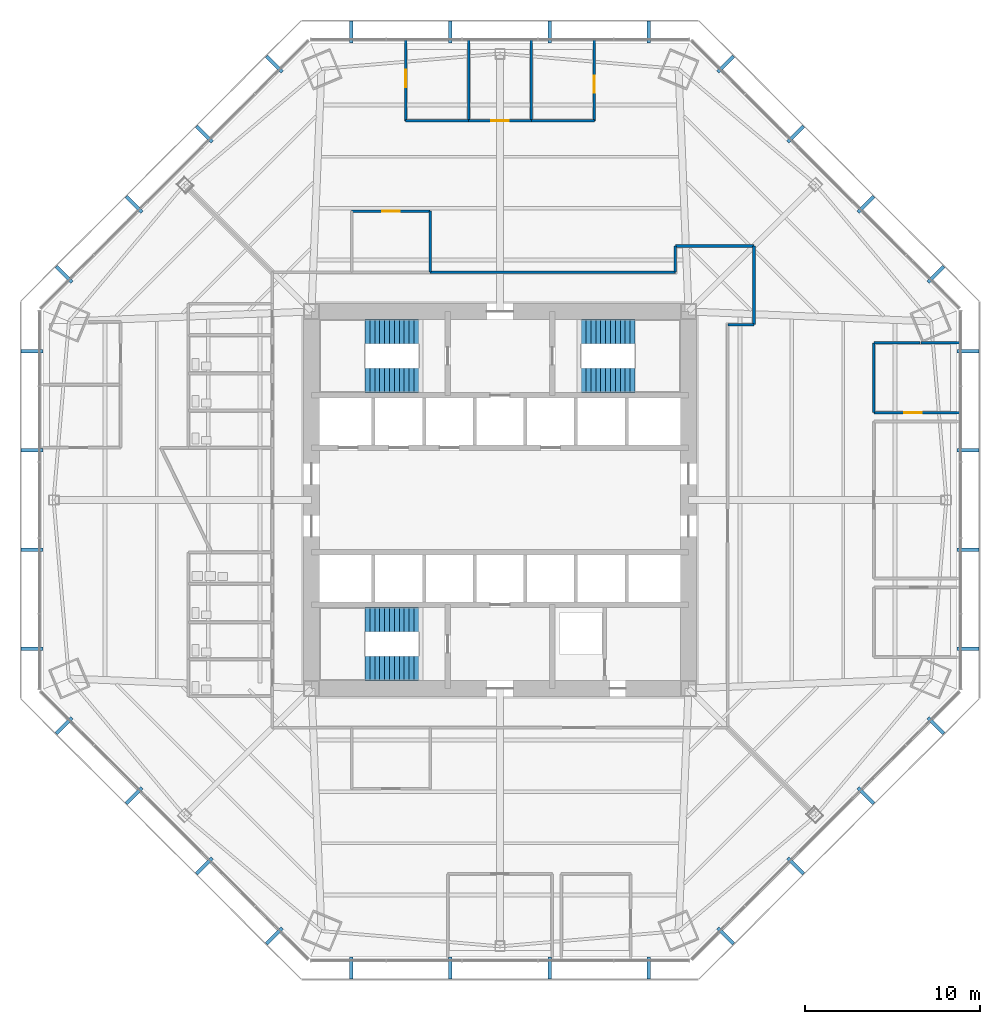
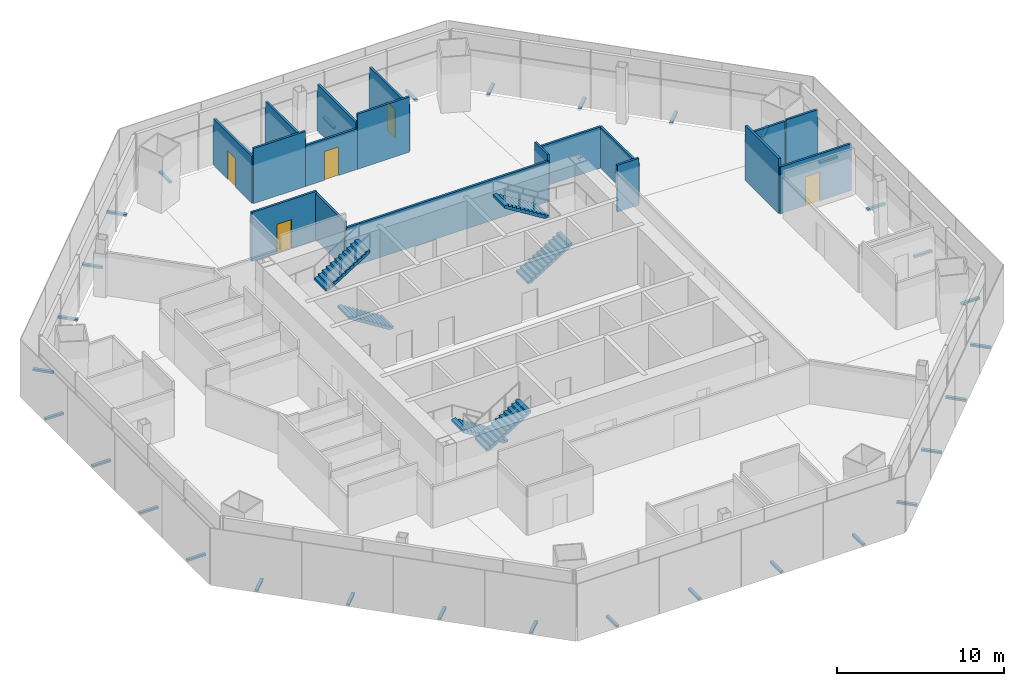
# One storey, part 12 of 15: 32 discrete accessories, 18 walls, 6 stair flights, 5 doors, 5 openings, 3 elements without a shape of their own.
"""IFC4 building model written with IfcOpenShell, lengths in metres."""

from ifc_helpers import new_model, si_unit, direction, frame, frame_2d, origin, origin_2d, place, context, subcontext, project, spatial, polyline, rectangle, outline, extrude, source, transform, mapped, material, layer, layer_set, type_object, type_shapes, element, fill, aggregate, save


model = new_model("IFC4")

# Units and contexts
model_context = context("Model", 3, precision=1e-05, world=origin(), true_north=direction((0.0, 1.0)))
body_context = subcontext(model_context, "Body", "Model", "MODEL_VIEW")
ifc_project = project(units=[si_unit("LENGTHUNIT", "METRE"), si_unit("AREAUNIT", "SQUARE_METRE"), si_unit("VOLUMEUNIT", "CUBIC_METRE"), si_unit("PLANEANGLEUNIT", "RADIAN"), si_unit("MASSUNIT", "GRAM", prefix="KILO")], contexts=[model_context])

# Site, building, storey
site_placement = place(None, origin())
site = spatial("IfcSite", under=ifc_project, at=site_placement, CompositionType="ELEMENT")
building_placement = place(site_placement, origin())
building = spatial("IfcBuilding", under=site, at=building_placement, Name="Mashrafa Tower", CompositionType="ELEMENT")
storey_placement = place(building_placement, frame((0.0, 0.0, 58.199951171875)))
storey = spatial("IfcBuildingStorey", under=building, at=storey_placement, Name="L12", CompositionType="ELEMENT", Elevation=58.199951171875)

# Walls
ifc_material_1 = material(Name="Gypsum board on steel studs", Category="steel")
ifc_layer_1 = layer(ifc_material_1, 0.14990234375)
ifc_layer_set_1 = layer_set([ifc_layer_1], Name="Corridor partition 150 1 hr")
wall_type_1 = type_object("IfcWallType", Name="Corridor partition 150 1 hr", PredefinedType="PARTITIONING", material=ifc_layer_set_1)
wall_1_placement = place(storey_placement, frame((13.050048828125, 10.050048828125, 0.0), z_axis=(0.0, 0.0, 1.0), x_axis=(1.0, 0.0, 0.0)))
element("IfcWall", 1, at=wall_1_placement, inside=storey, type_object=wall_type_1, Name="Corridor wall L12-014", PredefinedType="PARTITIONING", context=body_context, shape_type="SweptSolid", body=[
    extrude(rectangle(XDim=1.5, YDim=0.14990234375, at=frame_2d((0.75, 0.0))), origin(), (0.0, 0.0, 1.0), 3.423095703125),
])
for number, where, z_axis, x_axis, name in (
    (2, (14.550048828125, 10.050048828125, 0.0), (0.0, 0.0, 1.0), (0.0, 1.0, 0.0), "Corridor wall L12-015"),
    (3, (14.550048828125, 14.550048828125, 0.0), (0.0, 0.0, 1.0), (-1.0, 0.0, 0.0), "Corridor wall L12-016"),
):
    element("IfcWall", number, at=place(storey_placement, frame(where, z_axis=z_axis, x_axis=x_axis)), inside=storey, type_object=wall_type_1, Name=name, PredefinedType="PARTITIONING", context=body_context, shape_type="SweptSolid", body=[
        extrude(rectangle(XDim=4.5, YDim=0.14990234375, at=frame_2d((2.25, 0.0))), origin(), (0.0, 0.0, 1.0), 3.01416015625),
    ])
wall_2_placement = place(storey_placement, frame((10.050048828125, 14.550048828125, 0.0), z_axis=(0.0, 0.0, 1.0), x_axis=(0.0, -1.0, 0.0)))
element("IfcWall", 4, at=wall_2_placement, inside=storey, type_object=wall_type_1, Name="Corridor wall L12-017", PredefinedType="PARTITIONING", context=body_context, shape_type="SweptSolid", body=[
    extrude(rectangle(XDim=1.5, YDim=0.14990234375, at=frame_2d((0.75, 0.0))), origin(), (0.0, 0.0, 1.0), 3.423095703125),
])
wall_3_placement = place(storey_placement, frame((10.050048828125, 13.050048828125, 0.0), z_axis=(0.0, 0.0, 1.0), x_axis=(-1.0, 0.0, 0.0)))
element("IfcWall", 5, at=wall_3_placement, inside=storey, type_object=wall_type_1, Name="Corridor wall L12-018", PredefinedType="PARTITIONING", context=body_context, shape_type="SweptSolid", body=[
    extrude(rectangle(XDim=14.051025390625, YDim=0.14990234375, at=frame_2d((7.025390625, 0.0))), origin(), (0.0, 0.0, 1.0), 2.983642578125),
])
ifc_material_2 = material(Name="Gypsum board on steel studs", Category="steel")
ifc_layer_2 = layer(ifc_material_2, 0.14990234375)
ifc_layer_set_2 = layer_set([ifc_layer_2], Name="Partition 150")
wall_type_2 = type_object("IfcWallType", Name="Partition 150", PredefinedType="PARTITIONING", material=ifc_layer_set_2)
wall_4_placement = place(storey_placement, frame((-4.0, 13.050048828125, 0.0), z_axis=(0.0, 0.0, 1.0), x_axis=(0.0, 1.0, 0.0)))
element("IfcWall", 6, at=wall_4_placement, inside=storey, type_object=wall_type_2, Name="Partition wall L12-047", PredefinedType="PARTITIONING", context=body_context, shape_type="SweptSolid", body=[
    extrude(rectangle(XDim=3.5, YDim=0.14990234375, at=frame_2d((1.75, 0.0))), origin(), (0.0, 0.0, 1.0), 3.423095703125),
])

# Wall, opening, door
wall_5_placement = place(storey_placement, frame((-4.0, 16.550048828125, 0.0), z_axis=(0.0, 0.0, 1.0), x_axis=(-1.0, 0.0, 0.0)))
wall_5 = element("IfcWall", 7, at=wall_5_placement, inside=storey, type_object=wall_type_2, Name="Partition wall L12-048", PredefinedType="PARTITIONING", context=body_context, shape_type="SweptSolid", body=[
    extrude(rectangle(XDim=4.5, YDim=0.14990234375, at=frame_2d((2.25, 0.0))), origin(), (0.0, 0.0, 1.0), 3.5654296875),
])
opening_1_placement = place(wall_5_placement, frame((1.75, 0.0, 0.0)))
opening_1 = element("IfcOpeningElement", 8, at=opening_1_placement, cuts=wall_5, Name="Opening 12.011", PredefinedType="OPENING", context=body_context, shape_type="SweptSolid", body=[
    extrude(rectangle(XDim=1.0, YDim=2.10009765625, at=frame_2d((0.5, 1.050048828125))), frame((0.0, 0.0849609375, 0.0), z_axis=(0.0, -1.0, 0.0), x_axis=(1.0, 0.0, 0.0)), (0.0, 0.0, 1.0), 0.169921875),
])
ifc_material_3 = material(Name="Timber door", Category="wood")
door_type = type_object("IfcDoorType", Name="Door 1000 x 2100", OperationType="USERDEFINED", PredefinedType="DOOR", material=ifc_material_3)
door_1_placement = place(opening_1_placement, origin())
door_1 = element("IfcDoor", 9, at=door_1_placement, inside=storey, type_object=door_type, Name="Pantry 12-A door", OperationType="SINGLE_SWING_LEFT", OverallHeight=2.10009765625, OverallWidth=1.0, PredefinedType="DOOR", context=body_context, shape_type="SweptSolid", body=[
    extrude(rectangle(XDim=1.0, YDim=2.10009765625, at=frame_2d((0.5, 1.050048828125))), frame((0.0, 0.02490234375, 0.0), z_axis=(0.0, -1.0, 0.0), x_axis=(1.0, 0.0, 0.0)), (0.0, 0.0, 1.0), 0.050048828125),
])
fill(opening_1, door_1)

# Walls
wall_6_placement = place(storey_placement, frame((1.800048828125, 26.350341796875, 0.0), z_axis=(0.0, 0.0, 1.0), x_axis=(0.0, -1.0, 0.0)))
element("IfcWall", 10, at=wall_6_placement, inside=storey, type_object=wall_type_2, Name="Partition wall L12-056", PredefinedType="PARTITIONING", context=body_context, shape_type="SweptSolid", body=[
    extrude(rectangle(XDim=4.632080078125, YDim=0.14990234375, at=frame_2d((2.31591796875, 0.0))), origin(), (0.0, 0.0, 1.0), 3.423095703125),
])
wall_7_placement = place(storey_placement, frame((1.800048828125, 21.71826171875, 0.0), z_axis=(0.0, 0.0, 1.0), x_axis=(1.0, 0.0, 0.0)))
element("IfcWall", 11, at=wall_7_placement, inside=storey, type_object=wall_type_2, Name="Partition wall L12-057", PredefinedType="PARTITIONING", context=body_context, shape_type="SweptSolid", body=[
    extrude(rectangle(XDim=3.599853515625, YDim=0.14990234375, at=frame_2d((1.7998046875, 0.0))), origin(), (0.0, 0.0, 1.0), 4.03515625),
])

# Wall, opening, door
wall_8_placement = place(storey_placement, frame((5.39990234375, 21.71826171875, 0.0), z_axis=(0.0, 0.0, 1.0), x_axis=(0.0, 1.0, 0.0)))
wall_8 = element("IfcWall", 12, at=wall_8_placement, inside=storey, type_object=wall_type_2, Name="Partition wall L12-058", PredefinedType="PARTITIONING", context=body_context, shape_type="SweptSolid", body=[
    extrude(rectangle(XDim=4.634033203125, YDim=0.14990234375, at=frame_2d((2.31689453125, 0.0))), origin(), (0.0, 0.0, 1.0), 3.423095703125),
])
opening_2_placement = place(wall_8_placement, frame((1.60009765625, 0.0, 0.0)))
opening_2 = element("IfcOpeningElement", 13, at=opening_2_placement, cuts=wall_8, Name="Opening 12.014", PredefinedType="OPENING", context=body_context, shape_type="SweptSolid", body=[
    extrude(rectangle(XDim=1.0, YDim=2.10009765625, at=frame_2d((0.5, 1.050048828125))), frame((0.0, 0.0849609375, 0.0), z_axis=(0.0, -1.0, 0.0), x_axis=(1.0, 0.0, 0.0)), (0.0, 0.0, 1.0), 0.169921875),
])
door_2_placement = place(opening_2_placement, origin())
door_2 = element("IfcDoor", 14, at=door_2_placement, inside=storey, type_object=door_type, Name="Office 12-A-1 door", OperationType="SINGLE_SWING_LEFT", OverallHeight=2.10009765625, OverallWidth=1.0, PredefinedType="DOOR", context=body_context, shape_type="SweptSolid", body=[
    extrude(rectangle(XDim=1.0, YDim=2.10009765625, at=frame_2d((0.5, 1.050048828125))), frame((0.0, 0.02490234375, 0.0), z_axis=(0.0, -1.0, 0.0), x_axis=(1.0, 0.0, 0.0)), (0.0, 0.0, 1.0), 0.050048828125),
])
fill(opening_2, door_2)

# Wall
wall_9_placement = place(storey_placement, frame((-1.800048828125, 26.350341796875, 0.0), z_axis=(0.0, 0.0, 1.0), x_axis=(0.0, -1.0, 0.0)))
element("IfcWall", 15, at=wall_9_placement, inside=storey, type_object=wall_type_2, Name="Partition wall L12-059", PredefinedType="PARTITIONING", context=body_context, shape_type="SweptSolid", body=[
    extrude(rectangle(XDim=4.632080078125, YDim=0.14990234375, at=frame_2d((2.31591796875, 0.0))), origin(), (0.0, 0.0, 1.0), 3.423095703125),
])

# Wall, opening, door
wall_10_placement = place(storey_placement, frame((-1.800048828125, 21.71826171875, 0.0), z_axis=(0.0, 0.0, 1.0), x_axis=(1.0, 0.0, 0.0)))
wall_10 = element("IfcWall", 16, at=wall_10_placement, inside=storey, type_object=wall_type_2, Name="Partition wall L12-060", PredefinedType="PARTITIONING", context=body_context, shape_type="SweptSolid", body=[
    extrude(rectangle(XDim=3.60009765625, YDim=0.14990234375, at=frame_2d((1.800048828125, 0.0))), origin(), (0.0, 0.0, 1.0), 2.983642578125),
])
opening_3_placement = place(wall_10_placement, frame((1.300048828125, 0.0, 0.0)))
opening_3 = element("IfcOpeningElement", 17, at=opening_3_placement, cuts=wall_10, Name="Opening 12.015", PredefinedType="OPENING", context=body_context, shape_type="SweptSolid", body=[
    extrude(rectangle(XDim=1.0, YDim=2.10009765625, at=frame_2d((0.5, 1.050048828125))), frame((0.0, 0.0849609375, 0.0), z_axis=(0.0, -1.0, 0.0), x_axis=(1.0, 0.0, 0.0)), (0.0, 0.0, 1.0), 0.169921875),
])
door_3_placement = place(opening_3_placement, origin())
door_3 = element("IfcDoor", 18, at=door_3_placement, inside=storey, type_object=door_type, Name="Office 12-A-2 door", OperationType="SINGLE_SWING_LEFT", OverallHeight=2.10009765625, OverallWidth=1.0, PredefinedType="DOOR", context=body_context, shape_type="SweptSolid", body=[
    extrude(rectangle(XDim=1.0, YDim=2.10009765625, at=frame_2d((0.5, 1.050048828125))), frame((0.0, 0.02490234375, 0.0), z_axis=(0.0, -1.0, 0.0), x_axis=(1.0, 0.0, 0.0)), (0.0, 0.0, 1.0), 0.050048828125),
])
fill(opening_3, door_3)

wall_11_placement = place(storey_placement, frame((-5.39990234375, 26.352294921875, 0.0), z_axis=(0.0, 0.0, 1.0), x_axis=(0.0, -1.0, 0.0)))
wall_11 = element("IfcWall", 19, at=wall_11_placement, inside=storey, type_object=wall_type_2, Name="Partition wall L12-061", PredefinedType="PARTITIONING", context=body_context, shape_type="SweptSolid", body=[
    extrude(rectangle(XDim=4.634033203125, YDim=0.14990234375, at=frame_2d((2.31689453125, 0.0))), origin(), (0.0, 0.0, 1.0), 3.423095703125),
])
opening_4_placement = place(wall_11_placement, frame((1.698974609375, 0.0, 0.0)))
opening_4 = element("IfcOpeningElement", 20, at=opening_4_placement, cuts=wall_11, Name="Opening 12.016", PredefinedType="OPENING", context=body_context, shape_type="SweptSolid", body=[
    extrude(rectangle(XDim=1.0, YDim=2.10009765625, at=frame_2d((0.5, 1.050048828125))), frame((0.0, 0.0849609375, 0.0), z_axis=(0.0, -1.0, 0.0), x_axis=(1.0, 0.0, 0.0)), (0.0, 0.0, 1.0), 0.169921875),
])
door_4_placement = place(opening_4_placement, origin())
door_4 = element("IfcDoor", 21, at=door_4_placement, inside=storey, type_object=door_type, Name="Office 12-A-3 door", OperationType="SINGLE_SWING_LEFT", OverallHeight=2.10009765625, OverallWidth=1.0, PredefinedType="DOOR", context=body_context, shape_type="SweptSolid", body=[
    extrude(rectangle(XDim=1.0, YDim=2.10009765625, at=frame_2d((0.5, 1.050048828125))), frame((0.0, 0.02490234375, 0.0), z_axis=(0.0, -1.0, 0.0), x_axis=(1.0, 0.0, 0.0)), (0.0, 0.0, 1.0), 0.050048828125),
])
fill(opening_4, door_4)

# Walls
wall_12_placement = place(storey_placement, frame((-5.39990234375, 21.71826171875, 0.0), z_axis=(0.0, 0.0, 1.0), x_axis=(1.0, 0.0, 0.0)))
element("IfcWall", 22, at=wall_12_placement, inside=storey, type_object=wall_type_2, Name="Partition wall L12-062", PredefinedType="PARTITIONING", context=body_context, shape_type="SweptSolid", body=[
    extrude(rectangle(XDim=3.599853515625, YDim=0.14990234375, at=frame_2d((1.7998046875, 0.0))), origin(), (0.0, 0.0, 1.0), 4.03515625),
])
wall_13_placement = place(storey_placement, frame((26.350341796875, 9.0, 0.0), z_axis=(0.0, 0.0, 1.0), x_axis=(-1.0, 0.0, 0.0)))
element("IfcWall", 23, at=wall_13_placement, inside=storey, type_object=wall_type_2, Name="Partition wall L12-068", PredefinedType="PARTITIONING", context=body_context, shape_type="SweptSolid", body=[
    extrude(rectangle(XDim=2.220947265625, YDim=0.14990234375, at=frame_2d((1.1103515625, 0.0))), origin(), (0.0, 0.0, 1.0), 3.496826171875),
])
wall_14_placement = place(storey_placement, frame((24.06396484375, 9.0, 0.0), z_axis=(0.0, 0.0, 1.0), x_axis=(-1.0, 0.0, 0.0)))
element("IfcWall", 24, at=wall_14_placement, inside=storey, type_object=wall_type_2, Name="Partition wall L12-069", PredefinedType="PARTITIONING", context=body_context, shape_type="SweptSolid", body=[
    extrude(rectangle(XDim=2.645751953125, YDim=0.14990234375, at=frame_2d((1.32275390625, 0.0))), origin(), (0.0, 0.0, 1.0), 3.423095703125),
])
wall_15_placement = place(storey_placement, frame((21.418212890625, 9.0, 0.0), z_axis=(0.0, 0.0, 1.0), x_axis=(0.0, -1.0, 0.0)))
element("IfcWall", 25, at=wall_15_placement, inside=storey, type_object=wall_type_2, Name="Partition wall L12-070", PredefinedType="PARTITIONING", context=body_context, shape_type="SweptSolid", body=[
    extrude(rectangle(XDim=4.0, YDim=0.14990234375, at=frame_2d((2.0, 0.0))), origin(), (0.0, 0.0, 1.0), 4.03515625),
])

# Wall, opening, door
wall_16_placement = place(storey_placement, frame((21.418212890625, 5.0, 0.0), z_axis=(0.0, 0.0, 1.0), x_axis=(1.0, 0.0, 0.0)))
wall_16 = element("IfcWall", 26, at=wall_16_placement, inside=storey, type_object=wall_type_2, Name="Partition wall L12-071", PredefinedType="PARTITIONING", context=body_context, shape_type="SweptSolid", body=[
    extrude(rectangle(XDim=4.93408203125, YDim=0.14990234375, at=frame_2d((2.467041015625, 0.0))), origin(), (0.0, 0.0, 1.0), 3.423095703125),
])
opening_5_placement = place(wall_16_placement, frame((1.75, 0.0, 0.0)))
opening_5 = element("IfcOpeningElement", 27, at=opening_5_placement, cuts=wall_16, Name="Opening 12.019", PredefinedType="OPENING", context=body_context, shape_type="SweptSolid", body=[
    extrude(rectangle(XDim=1.0, YDim=2.10009765625, at=frame_2d((0.5, 1.050048828125))), frame((0.0, 0.0849609375, 0.0), z_axis=(0.0, -1.0, 0.0), x_axis=(1.0, 0.0, 0.0)), (0.0, 0.0, 1.0), 0.169921875),
])
door_5_placement = place(opening_5_placement, origin())
door_5 = element("IfcDoor", 28, at=door_5_placement, inside=storey, type_object=door_type, Name="Project Meeting Room 12-A1 door", OperationType="SINGLE_SWING_LEFT", OverallHeight=2.10009765625, OverallWidth=1.0, PredefinedType="DOOR", context=body_context, shape_type="SweptSolid", body=[
    extrude(rectangle(XDim=1.0, YDim=2.10009765625, at=frame_2d((0.5, 1.050048828125))), frame((0.0, 0.02490234375, 0.0), z_axis=(0.0, -1.0, 0.0), x_axis=(1.0, 0.0, 0.0)), (0.0, 0.0, 1.0), 0.050048828125),
])
fill(opening_5, door_5)

# Stair, stair flights
ifc_material_4 = material(Name="Exit stair 1400")
stair_type = type_object("IfcStairType", Name="Exit stair 1400", PredefinedType="HALF_TURN_STAIR", material=ifc_material_4)
stair_1_placement = place(storey_placement, origin())
stair_1 = element("IfcStair", 29, at=stair_1_placement, inside=storey, type_object=stair_type, Name="Stair S1 L12", PredefinedType="HALF_TURN_STAIR")
ifc_material_5 = material(Name="Concrete C32/40", Category="concrete")
stair_flight_type = type_object("IfcStairFlightType", Name="Stair flight 1400", PredefinedType="STRAIGHT", material=ifc_material_5)
stair_flight_1_placement = place(storey_placement, frame((-4.64990234375, 6.85009765625, 0.0), z_axis=(0.0, 0.0, 1.0), x_axis=(-1.0, 0.0, 0.0)))
stair_flight_1 = element("IfcStairFlight", 30, at=stair_flight_1_placement, type_object=stair_flight_type, Name="S1 flight 1", NumberOfRisers=12, NumberOfTreads=11, PredefinedType="STRAIGHT", RiserHeight=0.175, TreadLength=0.28, context=body_context, shape_type="SweptSolid", body=[
    extrude(outline(polyline([(0.0, 0.0), (0.0, 0.175048828125), (0.280029296875, 0.175048828125), (0.280029296875, 0.35009765625), (0.56005859375, 0.35009765625), (0.56005859375, 0.52490234375), (0.840087890625, 0.52490234375), (0.840087890625, 0.699951171875), (1.1201171875, 0.699951171875), (1.1201171875, 0.875), (1.39990234375, 0.875), (1.39990234375, 1.050048828125), (1.679931640625, 1.050048828125), (1.679931640625, 1.22509765625), (1.9599609375, 1.22509765625), (1.9599609375, 1.39990234375), (2.239990234375, 1.39990234375), (2.239990234375, 1.574951171875), (2.52001953125, 1.574951171875), (2.52001953125, 1.75), (2.800048828125, 1.75), (2.800048828125, 1.925048828125), (3.080078125, 1.925048828125), (3.080078125, 2.10009765625), (3.080078125, 1.748291015625), (0.28271484375, 0.0), (0.0, 0.0)])), frame((0.0, 0.699951171875, 0.0), z_axis=(0.0, -1.0, 0.0), x_axis=(1.0, 0.0, 0.0)), (0.0, 0.0, 1.0), 1.39990234375),
])
stair_flight_2_placement = place(storey_placement, frame((-7.72998046875, 9.64990234375, 2.10009765625), z_axis=(0.0, 0.0, 1.0), x_axis=(1.0, 0.0, 0.0)))
stair_flight_2 = element("IfcStairFlight", 31, at=stair_flight_2_placement, type_object=stair_flight_type, Name="S1 flight 2", NumberOfRisers=12, NumberOfTreads=11, PredefinedType="STRAIGHT", RiserHeight=0.175, TreadLength=0.28, context=body_context, shape_type="SweptSolid", body=[
    extrude(outline(polyline([(0.0, 0.0), (0.0, 0.175048828125), (0.280029296875, 0.175048828125), (0.280029296875, 0.35009765625), (0.56005859375, 0.35009765625), (0.56005859375, 0.52490234375), (0.840087890625, 0.52490234375), (0.840087890625, 0.699951171875), (1.1201171875, 0.699951171875), (1.1201171875, 0.875), (1.39990234375, 0.875), (1.39990234375, 1.050048828125), (1.679931640625, 1.050048828125), (1.679931640625, 1.22509765625), (1.9599609375, 1.22509765625), (1.9599609375, 1.39990234375), (2.239990234375, 1.39990234375), (2.239990234375, 1.574951171875), (2.52001953125, 1.574951171875), (2.52001953125, 1.75), (2.800048828125, 1.75), (2.800048828125, 1.925048828125), (3.080078125, 1.925048828125), (3.080078125, 2.10009765625), (3.080078125, 1.748291015625), (0.28271484375, 0.0), (0.0, 0.0)])), frame((0.0, 0.699951171875, 0.0), z_axis=(0.0, -1.0, 0.0), x_axis=(1.0, 0.0, 0.0)), (0.0, 0.0, 1.0), 1.39990234375),
])
aggregate(stair_1, [stair_flight_1, stair_flight_2])

stair_2_placement = place(storey_placement, origin())
stair_2 = element("IfcStair", 32, at=stair_2_placement, inside=storey, type_object=stair_type, Name="Stair S2 L12", PredefinedType="HALF_TURN_STAIR")
stair_flight_3_placement = place(storey_placement, frame((4.64990234375, 6.85009765625, 0.0), z_axis=(0.0, 0.0, 1.0), x_axis=(1.0, 0.0, 0.0)))
stair_flight_3 = element("IfcStairFlight", 33, at=stair_flight_3_placement, type_object=stair_flight_type, Name="S2 flight 1", NumberOfRisers=12, NumberOfTreads=11, PredefinedType="STRAIGHT", RiserHeight=0.175, TreadLength=0.28, context=body_context, shape_type="SweptSolid", body=[
    extrude(outline(polyline([(0.0, 0.0), (0.0, 0.175048828125), (0.280029296875, 0.175048828125), (0.280029296875, 0.35009765625), (0.56005859375, 0.35009765625), (0.56005859375, 0.52490234375), (0.840087890625, 0.52490234375), (0.840087890625, 0.699951171875), (1.1201171875, 0.699951171875), (1.1201171875, 0.875), (1.39990234375, 0.875), (1.39990234375, 1.050048828125), (1.679931640625, 1.050048828125), (1.679931640625, 1.22509765625), (1.9599609375, 1.22509765625), (1.9599609375, 1.39990234375), (2.239990234375, 1.39990234375), (2.239990234375, 1.574951171875), (2.52001953125, 1.574951171875), (2.52001953125, 1.75), (2.800048828125, 1.75), (2.800048828125, 1.925048828125), (3.080078125, 1.925048828125), (3.080078125, 2.10009765625), (3.080078125, 1.748291015625), (0.28271484375, 0.0), (0.0, 0.0)])), frame((0.0, 0.699951171875, 0.0), z_axis=(0.0, -1.0, 0.0), x_axis=(1.0, 0.0, 0.0)), (0.0, 0.0, 1.0), 1.39990234375),
])
stair_flight_4_placement = place(storey_placement, frame((7.72998046875, 9.64990234375, 2.10009765625), z_axis=(0.0, 0.0, 1.0), x_axis=(-1.0, 0.0, 0.0)))
stair_flight_4 = element("IfcStairFlight", 34, at=stair_flight_4_placement, type_object=stair_flight_type, Name="S2 flight 2", NumberOfRisers=12, NumberOfTreads=11, PredefinedType="STRAIGHT", RiserHeight=0.175, TreadLength=0.28, context=body_context, shape_type="SweptSolid", body=[
    extrude(outline(polyline([(0.0, 0.0), (0.0, 0.175048828125), (0.280029296875, 0.175048828125), (0.280029296875, 0.35009765625), (0.56005859375, 0.35009765625), (0.56005859375, 0.52490234375), (0.840087890625, 0.52490234375), (0.840087890625, 0.699951171875), (1.1201171875, 0.699951171875), (1.1201171875, 0.875), (1.39990234375, 0.875), (1.39990234375, 1.050048828125), (1.679931640625, 1.050048828125), (1.679931640625, 1.22509765625), (1.9599609375, 1.22509765625), (1.9599609375, 1.39990234375), (2.239990234375, 1.39990234375), (2.239990234375, 1.574951171875), (2.52001953125, 1.574951171875), (2.52001953125, 1.75), (2.800048828125, 1.75), (2.800048828125, 1.925048828125), (3.080078125, 1.925048828125), (3.080078125, 2.10009765625), (3.080078125, 1.748291015625), (0.28271484375, 0.0), (0.0, 0.0)])), frame((0.0, 0.699951171875, 0.0), z_axis=(0.0, -1.0, 0.0), x_axis=(1.0, 0.0, 0.0)), (0.0, 0.0, 1.0), 1.39990234375),
])
aggregate(stair_2, [stair_flight_3, stair_flight_4])

stair_3_placement = place(storey_placement, origin())
stair_3 = element("IfcStair", 35, at=stair_3_placement, inside=storey, type_object=stair_type, Name="Stair S3 L12", PredefinedType="HALF_TURN_STAIR")
stair_flight_5_placement = place(storey_placement, frame((-4.64990234375, -6.85009765625, 0.0), z_axis=(0.0, 0.0, 1.0), x_axis=(-1.0, 0.0, 0.0)))
stair_flight_5 = element("IfcStairFlight", 36, at=stair_flight_5_placement, type_object=stair_flight_type, Name="S3 flight 1", NumberOfRisers=12, NumberOfTreads=11, PredefinedType="STRAIGHT", RiserHeight=0.175, TreadLength=0.28, context=body_context, shape_type="SweptSolid", body=[
    extrude(outline(polyline([(0.0, 0.0), (0.0, 0.175048828125), (0.280029296875, 0.175048828125), (0.280029296875, 0.35009765625), (0.56005859375, 0.35009765625), (0.56005859375, 0.52490234375), (0.840087890625, 0.52490234375), (0.840087890625, 0.699951171875), (1.1201171875, 0.699951171875), (1.1201171875, 0.875), (1.39990234375, 0.875), (1.39990234375, 1.050048828125), (1.679931640625, 1.050048828125), (1.679931640625, 1.22509765625), (1.9599609375, 1.22509765625), (1.9599609375, 1.39990234375), (2.239990234375, 1.39990234375), (2.239990234375, 1.574951171875), (2.52001953125, 1.574951171875), (2.52001953125, 1.75), (2.800048828125, 1.75), (2.800048828125, 1.925048828125), (3.080078125, 1.925048828125), (3.080078125, 2.10009765625), (3.080078125, 1.748291015625), (0.28271484375, 0.0), (0.0, 0.0)])), frame((0.0, 0.699951171875, 0.0), z_axis=(0.0, -1.0, 0.0), x_axis=(1.0, 0.0, 0.0)), (0.0, 0.0, 1.0), 1.39990234375),
])
stair_flight_6_placement = place(storey_placement, frame((-7.72998046875, -9.64990234375, 2.10009765625), z_axis=(0.0, 0.0, 1.0), x_axis=(1.0, 0.0, 0.0)))
stair_flight_6 = element("IfcStairFlight", 37, at=stair_flight_6_placement, type_object=stair_flight_type, Name="S3 flight 2", NumberOfRisers=12, NumberOfTreads=11, PredefinedType="STRAIGHT", RiserHeight=0.175, TreadLength=0.28, context=body_context, shape_type="SweptSolid", body=[
    extrude(outline(polyline([(0.0, 0.0), (0.0, 0.175048828125), (0.280029296875, 0.175048828125), (0.280029296875, 0.35009765625), (0.56005859375, 0.35009765625), (0.56005859375, 0.52490234375), (0.840087890625, 0.52490234375), (0.840087890625, 0.699951171875), (1.1201171875, 0.699951171875), (1.1201171875, 0.875), (1.39990234375, 0.875), (1.39990234375, 1.050048828125), (1.679931640625, 1.050048828125), (1.679931640625, 1.22509765625), (1.9599609375, 1.22509765625), (1.9599609375, 1.39990234375), (2.239990234375, 1.39990234375), (2.239990234375, 1.574951171875), (2.52001953125, 1.574951171875), (2.52001953125, 1.75), (2.800048828125, 1.75), (2.800048828125, 1.925048828125), (3.080078125, 1.925048828125), (3.080078125, 2.10009765625), (3.080078125, 1.748291015625), (0.28271484375, 0.0), (0.0, 0.0)])), frame((0.0, 0.699951171875, 0.0), z_axis=(0.0, -1.0, 0.0), x_axis=(1.0, 0.0, 0.0)), (0.0, 0.0, 1.0), 1.39990234375),
])
aggregate(stair_3, [stair_flight_5, stair_flight_6])

# Discrete accessories
ifc_material_6 = material(Name="Stainless steel screen bracket", Category="steel")
discrete_accessory_type = type_object("IfcDiscreteAccessoryType", Name="Screen support bracket 200 x 150", PredefinedType="BRACKET", material=ifc_material_6)
shared_shape = source(origin(), body_context, "Body", "SweptSolid", [
    extrude(rectangle(XDim=0.199951171875, YDim=1.27001953125, at=origin_2d()), origin(), (0.0, 0.0, 1.0), 0.14990234375),
])
type_shapes(discrete_accessory_type, [shared_shape])
for number, where, z_axis, x_axis, name in (
    (38, (26.80322265625, -8.5166015625, -0.14990234375), (0.0, 0.0, 1.0), (0.0, 1.0, 0.0), "Screen support bracket L12 east 1"),
    (39, (26.80322265625, -2.8388671875, -0.14990234375), (0.0, 0.0, 1.0), (0.0, 1.0, 0.0), "Screen support bracket L12 east 2"),
    (40, (26.80322265625, 2.8388671875, -0.14990234375), (0.0, 0.0, 1.0), (0.0, 1.0, 0.0), "Screen support bracket L12 east 3"),
    (41, (26.80322265625, 8.5166015625, -0.14990234375), (0.0, 0.0, 1.0), (0.0, 1.0, 0.0), "Screen support bracket L12 east 4"),
    (42, (24.974853515625, 12.9306640625, -0.14990234375), (0.0, 0.0, 1.0), (-0.707106781187, 0.707106781187, 0.0), "Screen support bracket L12 north-east 1"),
    (43, (20.960205078125, 16.945556640625, -0.14990234375), (0.0, 0.0, 1.0), (-0.707106781187, 0.707106781187, 0.0), "Screen support bracket L12 north-east 2"),
    (44, (16.945556640625, 20.960205078125, -0.14990234375), (0.0, 0.0, 1.0), (-0.707106781187, 0.707106781187, 0.0), "Screen support bracket L12 north-east 3"),
    (45, (12.9306640625, 24.974853515625, -0.14990234375), (0.0, 0.0, 1.0), (-0.707106781187, 0.707106781187, 0.0), "Screen support bracket L12 north-east 4"),
    (46, (8.5166015625, 26.80322265625, -0.14990234375), (0.0, 0.0, 1.0), (-1.0, 0.0, 0.0), "Screen support bracket L12 north 1"),
    (47, (2.8388671875, 26.80322265625, -0.14990234375), (0.0, 0.0, 1.0), (-1.0, 0.0, 0.0), "Screen support bracket L12 north 2"),
    (48, (-2.8388671875, 26.80322265625, -0.14990234375), (0.0, 0.0, 1.0), (-1.0, 0.0, 0.0), "Screen support bracket L12 north 3"),
    (49, (-8.5166015625, 26.80322265625, -0.14990234375), (0.0, 0.0, 1.0), (-1.0, 0.0, 0.0), "Screen support bracket L12 north 4"),
    (50, (-12.9306640625, 24.974853515625, -0.14990234375), (0.0, 0.0, 1.0), (-0.707106781187, -0.707106781187, 0.0), "Screen support bracket L12 north-west 1"),
    (51, (-16.945556640625, 20.960205078125, -0.14990234375), (0.0, 0.0, 1.0), (-0.707106781187, -0.707106781187, 0.0), "Screen support bracket L12 north-west 2"),
    (52, (-20.960205078125, 16.945556640625, -0.14990234375), (0.0, 0.0, 1.0), (-0.707106781187, -0.707106781187, 0.0), "Screen support bracket L12 north-west 3"),
    (53, (-24.974853515625, 12.9306640625, -0.14990234375), (0.0, 0.0, 1.0), (-0.707106781187, -0.707106781187, 0.0), "Screen support bracket L12 north-west 4"),
    (54, (-26.80322265625, 8.5166015625, -0.14990234375), (0.0, 0.0, 1.0), (0.0, -1.0, 0.0), "Screen support bracket L12 west 1"),
    (55, (-26.80322265625, 2.8388671875, -0.14990234375), (0.0, 0.0, 1.0), (0.0, -1.0, 0.0), "Screen support bracket L12 west 2"),
    (56, (-26.80322265625, -2.8388671875, -0.14990234375), (0.0, 0.0, 1.0), (0.0, -1.0, 0.0), "Screen support bracket L12 west 3"),
    (57, (-26.80322265625, -8.5166015625, -0.14990234375), (0.0, 0.0, 1.0), (0.0, -1.0, 0.0), "Screen support bracket L12 west 4"),
    (58, (-24.974853515625, -12.9306640625, -0.14990234375), (0.0, 0.0, 1.0), (0.707106781187, -0.707106781187, 0.0), "Screen support bracket L12 south-west 1"),
    (59, (-20.960205078125, -16.945556640625, -0.14990234375), (0.0, 0.0, 1.0), (0.707106781187, -0.707106781187, 0.0), "Screen support bracket L12 south-west 2"),
    (60, (-16.945556640625, -20.960205078125, -0.14990234375), (0.0, 0.0, 1.0), (0.707106781187, -0.707106781187, 0.0), "Screen support bracket L12 south-west 3"),
    (61, (-12.9306640625, -24.974853515625, -0.14990234375), (0.0, 0.0, 1.0), (0.707106781187, -0.707106781187, 0.0), "Screen support bracket L12 south-west 4"),
    (62, (-8.5166015625, -26.80322265625, -0.14990234375), (0.0, 0.0, 1.0), (1.0, 0.0, 0.0), "Screen support bracket L12 south 1"),
    (63, (-2.8388671875, -26.80322265625, -0.14990234375), (0.0, 0.0, 1.0), (1.0, 0.0, 0.0), "Screen support bracket L12 south 2"),
    (64, (2.8388671875, -26.80322265625, -0.14990234375), (0.0, 0.0, 1.0), (1.0, 0.0, 0.0), "Screen support bracket L12 south 3"),
    (65, (8.5166015625, -26.80322265625, -0.14990234375), (0.0, 0.0, 1.0), (1.0, 0.0, 0.0), "Screen support bracket L12 south 4"),
    (66, (12.9306640625, -24.974853515625, -0.14990234375), (0.0, 0.0, 1.0), (0.707106781187, 0.707106781187, 0.0), "Screen support bracket L12 south-east 1"),
    (67, (16.945556640625, -20.960205078125, -0.14990234375), (0.0, 0.0, 1.0), (0.707106781187, 0.707106781187, 0.0), "Screen support bracket L12 south-east 2"),
    (68, (20.960205078125, -16.945556640625, -0.14990234375), (0.0, 0.0, 1.0), (0.707106781187, 0.707106781187, 0.0), "Screen support bracket L12 south-east 3"),
    (69, (24.974853515625, -12.9306640625, -0.14990234375), (0.0, 0.0, 1.0), (0.707106781187, 0.707106781187, 0.0), "Screen support bracket L12 south-east 4"),
):
    element("IfcDiscreteAccessory", number, at=place(storey_placement, frame(where, z_axis=z_axis, x_axis=x_axis)), inside=storey, type_object=discrete_accessory_type, Name=name, PredefinedType="BRACKET", context=body_context, shape_type="MappedRepresentation", body=[
        mapped(shared_shape, transform((0.0, 0.0, 0.0))),
    ])

save(model, "model.ifc")
